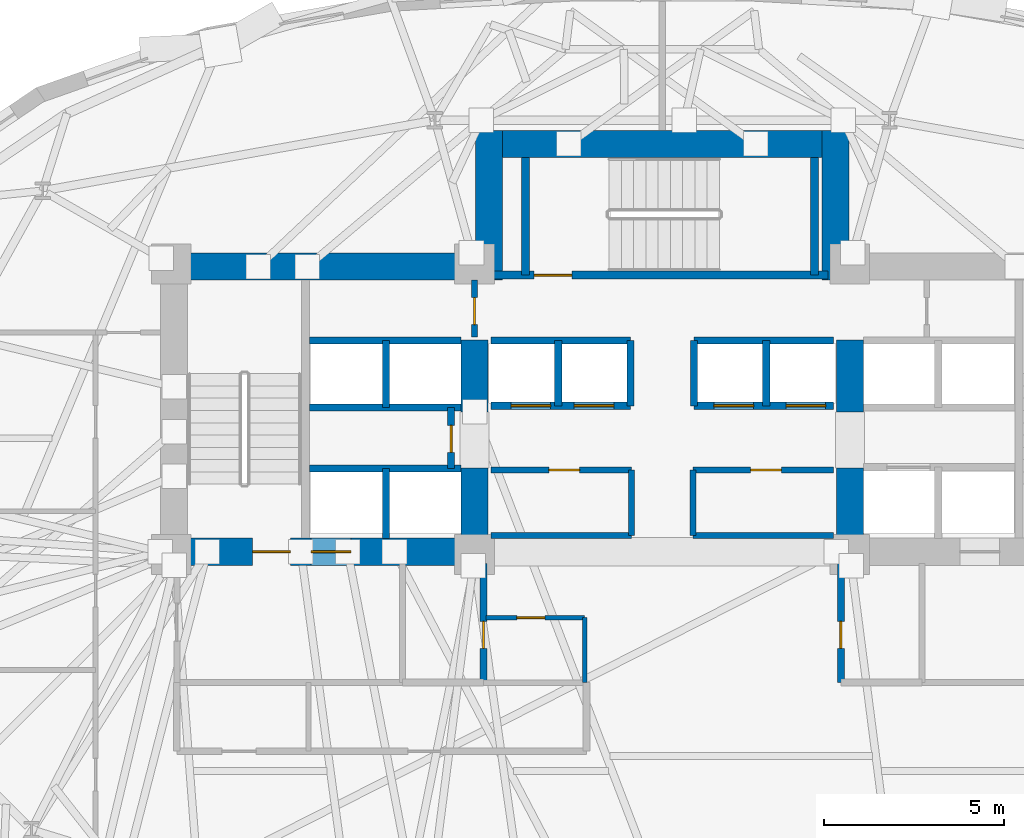
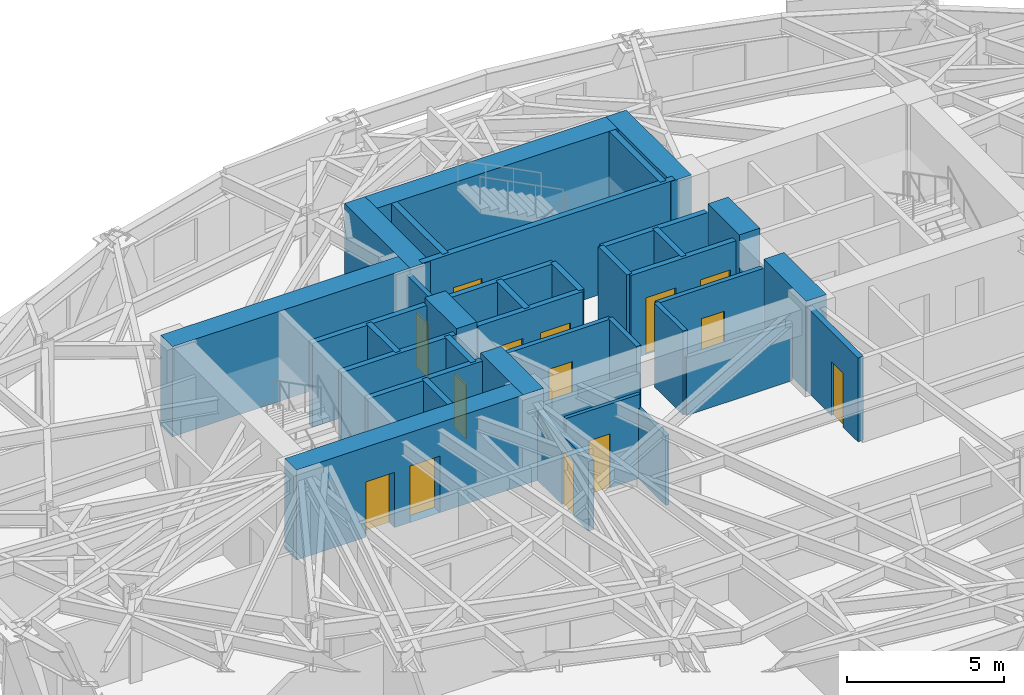
# One storey, part 7 of 13: 37 walls, 14 doors, 14 openings.
"""IFC4 building model written with IfcOpenShell, lengths in metres."""

from ifc_helpers import new_model, si_unit, direction, frame, frame_2d, origin, place, context, subcontext, project, spatial, rectangle, extrude, material, layer, layer_set, type_object, element, fill, save


model = new_model("IFC4")

# Units and contexts
model_context = context("Model", 3, precision=1e-05, world=origin(), true_north=direction((0.0, 1.0)))
body_context = subcontext(model_context, "Body", "Model", "MODEL_VIEW")
ifc_project = project(units=[si_unit("LENGTHUNIT", "METRE"), si_unit("AREAUNIT", "SQUARE_METRE"), si_unit("VOLUMEUNIT", "CUBIC_METRE"), si_unit("PLANEANGLEUNIT", "RADIAN"), si_unit("MASSUNIT", "GRAM", prefix="KILO")], contexts=[model_context])

# Site, building, storey
site_placement = place(None, origin())
site = spatial("IfcSite", under=ifc_project, at=site_placement, CompositionType="ELEMENT")
building_placement = place(site_placement, origin())
building = spatial("IfcBuilding", under=site, at=building_placement, Name="Keldmark Tower", CompositionType="ELEMENT")
storey_placement = place(building_placement, frame((0.0, 0.0, 131.60009765625)))
storey = spatial("IfcBuildingStorey", under=building, at=storey_placement, Name="L35", CompositionType="ELEMENT", Elevation=131.60009765625)

# Wall, opening, door
ifc_material_1 = material(Name="Acoustic Gypsum Board Interior Partition", Category="gypsum")
ifc_layer_1 = layer(ifc_material_1, 0.1298828125)
ifc_layer_set_1 = layer_set([ifc_layer_1], Name="Acoustic Gypsum Board Interior Partition")
wall_type_1 = type_object("IfcWallType", Name="Interior Partition 130 mm", PredefinedType="PARTITIONING", material=ifc_layer_set_1)
wall_1_placement = place(storey_placement, frame((-4.8798828125, -0.35009765625, 0.0), z_axis=(0.0, 0.0, 1.0), x_axis=(1.0, 0.0, 0.0)))
wall_1 = element("IfcWall", 1, at=wall_1_placement, inside=storey, type_object=wall_type_1, Name="L35 Interior Partition 130 mm CSC-W-N", PredefinedType="PARTITIONING", context=body_context, shape_type="SweptSolid", body=[
    extrude(rectangle(XDim=2.72998046875, YDim=0.1298828125, at=frame_2d((1.364990234375, 0.0))), origin(), (0.0, 0.0, 1.0), 3.260009765625),
])
opening_1_placement = place(wall_1_placement, frame((0.85009765625, 0.0, 0.0)))
opening_1 = element("IfcOpeningElement", 2, at=opening_1_placement, cuts=wall_1, Name="Opening D-CL078", PredefinedType="OPENING", context=body_context, shape_type="SweptSolid", body=[
    extrude(rectangle(XDim=0.780029296875, YDim=2.10009765625, at=frame_2d((0.39013671875, 1.050048828125))), frame((0.0, 0.074951171875, 0.0), z_axis=(0.0, -1.0, 0.0), x_axis=(1.0, 0.0, 0.0)), (0.0, 0.0, 1.0), 0.14990234375),
])
ifc_material_2 = material(Name="Flush Utility Closet Timber Door", Category="wood")
door_type_1 = type_object("IfcDoorType", Name="Closet Door 780x2100", OperationType="NOTDEFINED", PredefinedType="DOOR", material=ifc_material_2)
door_1_placement = place(opening_1_placement, origin())
door_1 = element("IfcDoor", 3, at=door_1_placement, inside=storey, type_object=door_type_1, Name="L35 Closet Door 780x2100 D-CSCW1-L35", OperationType="SINGLE_SWING_LEFT", OverallHeight=2.10009765625, OverallWidth=0.780029296875, PredefinedType="DOOR", context=body_context, shape_type="SweptSolid", body=[
    extrude(rectangle(XDim=0.780029296875, YDim=2.10009765625, at=frame_2d((0.39013671875, 1.050048828125))), frame((0.0, 0.02490234375, 0.0), z_axis=(0.0, -1.0, 0.0), x_axis=(1.0, 0.0, 0.0)), (0.0, 0.0, 1.0), 0.050048828125),
])
fill(opening_1, door_1)

# Walls
wall_2_placement = place(storey_placement, frame((-2.14990234375, -2.14990234375, 0.0), z_axis=(0.0, 0.0, 1.0), x_axis=(0.0, 1.0, 0.0)))
element("IfcWall", 4, at=wall_2_placement, inside=storey, type_object=wall_type_1, Name="L35 Interior Partition 130 mm CSC-W-E", PredefinedType="PARTITIONING", context=body_context, shape_type="SweptSolid", body=[
    extrude(rectangle(XDim=1.7998046875, YDim=0.1298828125, at=frame_2d((0.89990234375, 0.0))), origin(), (0.0, 0.0, 1.0), 2.712890625),
])
ifc_material_3 = material(Name="Concrete C70/85", Category="concrete")
ifc_layer_2 = layer(ifc_material_3, 0.75)
ifc_layer_set_2 = layer_set([ifc_layer_2], Name="Concrete C70/85")
wall_type_2 = type_object("IfcWallType", Name="Low-Mid Core Shear Wall 750 mm", PredefinedType="SHEAR", material=ifc_layer_set_2)
wall_3_placement = place(storey_placement, frame((-13.89990234375, 9.375, 0.0), z_axis=(0.0, 0.0, 1.0), x_axis=(1.0, 0.0, 0.0)))
element("IfcWall", 5, at=wall_3_placement, inside=storey, type_object=wall_type_2, Name="L35 West Core North Shear Wall", PredefinedType="SHEAR", context=body_context, shape_type="SweptSolid", body=[
    extrude(rectangle(XDim=9.474853515625, YDim=0.75, at=frame_2d((4.7373046875, 0.0))), origin(), (0.0, 0.0, 1.0), 3.5),
])

# Wall, openings, doors
wall_4_placement = place(storey_placement, frame((-4.824951171875, 1.47509765625, 0.0), z_axis=(0.0, 0.0, 1.0), x_axis=(-1.0, 0.0, 0.0)))
wall_4 = element("IfcWall", 6, at=wall_4_placement, inside=storey, type_object=wall_type_2, Name="L35 West Core South Shear Wall", PredefinedType="SHEAR", context=body_context, shape_type="SweptSolid", body=[
    extrude(rectangle(XDim=9.074951171875, YDim=0.75, at=frame_2d((4.53759765625, 0.0))), origin(), (0.0, 0.0, 1.0), 3.5),
])
opening_2_placement = place(wall_4_placement, frame((5.47509765625, 0.0, 0.0)))
opening_2 = element("IfcOpeningElement", 7, at=opening_2_placement, cuts=wall_4, Name="Opening D-ST105", PredefinedType="OPENING", context=body_context, shape_type="SweptSolid", body=[
    extrude(rectangle(XDim=1.050048828125, YDim=2.14990234375, at=frame_2d((0.52490234375, 1.074951171875))), frame((0.0, 0.385009765625, 0.0), z_axis=(0.0, -1.0, 0.0), x_axis=(1.0, 0.0, 0.0)), (0.0, 0.0, 1.0), 0.77001953125),
])
opening_3_placement = place(wall_4_placement, frame((3.804931640625, 0.0, 0.0)))
opening_3 = element("IfcOpeningElement", 8, at=opening_3_placement, cuts=wall_4, Name="Opening LD-110", PredefinedType="OPENING", context=body_context, shape_type="SweptSolid", body=[
    extrude(rectangle(XDim=1.10009765625, YDim=2.199951171875, at=frame_2d((0.550048828125, 1.10009765625))), frame((0.0, 0.385009765625, 0.0), z_axis=(0.0, -1.0, 0.0), x_axis=(1.0, 0.0, 0.0)), (0.0, 0.0, 1.0), 0.77001953125),
])
ifc_material_4 = material(Name="Brushed Bronze Hoistway Sliding Leaf", Category="metal")
door_type_2 = type_object("IfcDoorType", Name="Lift Landing Sliding Door 1100x2200", OperationType="SLIDING_TO_LEFT", PredefinedType="DOOR", material=ifc_material_4)
door_2_placement = place(opening_3_placement, origin())
door_2 = element("IfcDoor", 9, at=door_2_placement, inside=storey, type_object=door_type_2, Name="L35 Lift Landing Sliding Door 1100x2200 LD-EL-FS1-L35", OperationType="SLIDING_TO_LEFT", OverallHeight=2.199951171875, OverallWidth=1.10009765625, PredefinedType="DOOR", context=body_context, shape_type="SweptSolid", body=[
    extrude(rectangle(XDim=1.10009765625, YDim=2.199951171875, at=frame_2d((0.550048828125, 1.10009765625))), frame((0.0, 0.02490234375, 0.0), z_axis=(0.0, -1.0, 0.0), x_axis=(1.0, 0.0, 0.0)), (0.0, 0.0, 1.0), 0.050048828125),
])
fill(opening_3, door_2)
ifc_material_5 = material(Name="Hollow Metal Fire-Rated Door Assembly", Category="metal")
door_type_3 = type_object("IfcDoorType", Name="Stair Fire Door 1050x2150", OperationType="NOTDEFINED", PredefinedType="DOOR", material=ifc_material_5)
door_3_placement = place(opening_2_placement, origin())
door_3 = element("IfcDoor", 10, at=door_3_placement, inside=storey, type_object=door_type_3, Name="L35 Stair Fire Door 1050x2150 D-ST1-L35", OperationType="SINGLE_SWING_RIGHT", OverallHeight=2.14990234375, OverallWidth=1.050048828125, PredefinedType="DOOR", context=body_context, shape_type="SweptSolid", body=[
    extrude(rectangle(XDim=1.050048828125, YDim=2.14990234375, at=frame_2d((0.52490234375, 1.074951171875))), frame((0.0, 0.02490234375, 0.0), z_axis=(0.0, -1.0, 0.0), x_axis=(1.0, 0.0, 0.0)), (0.0, 0.0, 1.0), 0.050048828125),
])
fill(opening_2, door_3)

# Walls
wall_5_placement = place(storey_placement, frame((-5.199951171875, 1.10009765625, 0.0), z_axis=(0.0, 0.0, 1.0), x_axis=(0.0, 1.0, 0.0)))
element("IfcWall", 11, at=wall_5_placement, inside=storey, type_object=wall_type_2, Name="L35 West Core Inner Shear Pier South", PredefinedType="SHEAR", context=body_context, shape_type="SweptSolid", body=[
    extrude(rectangle(XDim=2.699951171875, YDim=0.75, at=frame_2d((1.35009765625, 0.0))), origin(), (0.0, 0.0, 1.0), 3.5),
])
wall_6_placement = place(storey_placement, frame((-5.199951171875, 5.35009765625, 0.0), z_axis=(0.0, 0.0, 1.0), x_axis=(0.0, 1.0, 0.0)))
element("IfcWall", 12, at=wall_6_placement, inside=storey, type_object=wall_type_2, Name="L35 West Core Inner Shear Pier North", PredefinedType="SHEAR", context=body_context, shape_type="SweptSolid", body=[
    extrude(rectangle(XDim=2.0, YDim=0.75, at=frame_2d((1.0, 0.0))), origin(), (0.0, 0.0, 1.0), 3.5),
])
wall_7_placement = place(storey_placement, frame((5.199951171875, 1.10009765625, 0.0), z_axis=(0.0, 0.0, 1.0), x_axis=(0.0, 1.0, 0.0)))
element("IfcWall", 13, at=wall_7_placement, inside=storey, type_object=wall_type_2, Name="L35 East Core Inner Shear Pier South", PredefinedType="SHEAR", context=body_context, shape_type="SweptSolid", body=[
    extrude(rectangle(XDim=2.699951171875, YDim=0.75, at=frame_2d((1.35009765625, 0.0))), origin(), (0.0, 0.0, 1.0), 3.5),
])
wall_8_placement = place(storey_placement, frame((5.199951171875, 5.35009765625, 0.0), z_axis=(0.0, 0.0, 1.0), x_axis=(0.0, 1.0, 0.0)))
element("IfcWall", 14, at=wall_8_placement, inside=storey, type_object=wall_type_2, Name="L35 East Core Inner Shear Pier North", PredefinedType="SHEAR", context=body_context, shape_type="SweptSolid", body=[
    extrude(rectangle(XDim=2.0, YDim=0.75, at=frame_2d((1.0, 0.0))), origin(), (0.0, 0.0, 1.0), 3.5),
])
wall_9_placement = place(storey_placement, frame((-5.175048828125, 12.77490234375, 0.0), z_axis=(0.0, 0.0, 1.0), x_axis=(1.0, 0.0, 0.0)))
element("IfcWall", 15, at=wall_9_placement, inside=storey, type_object=wall_type_2, Name="L35 North Core Shear Wall", PredefinedType="SHEAR", context=body_context, shape_type="SweptSolid", body=[
    extrude(rectangle(XDim=10.35009765625, YDim=0.75, at=frame_2d((5.175048828125, 0.0))), origin(), (0.0, 0.0, 1.0), 3.5),
])
for number, where, z_axis, x_axis, name in (
    (16, (-4.800048828125, 9.0, 0.0), (0.0, 0.0, 1.0), (0.0, 1.0, 0.0), "L35 North Core West Shear Wall"),
    (17, (4.800048828125, 9.0, 0.0), (0.0, 0.0, 1.0), (0.0, 1.0, 0.0), "L35 North Core East Shear Wall"),
):
    element("IfcWall", number, at=place(storey_placement, frame(where, z_axis=z_axis, x_axis=x_axis)), inside=storey, type_object=wall_type_2, Name=name, PredefinedType="SHEAR", context=body_context, shape_type="SweptSolid", body=[
        extrude(rectangle(XDim=4.14990234375, YDim=0.75, at=frame_2d((2.074951171875, 0.0))), origin(), (0.0, 0.0, 1.0), 3.5),
    ])
ifc_material_6 = material(Name="Type X Fire-Rated Gypsum Partition Assembly", Category="gypsum")
ifc_layer_3 = layer(ifc_material_6, 0.1650390625)
ifc_layer_set_3 = layer_set([ifc_layer_3], Name="Type X Fire-Rated Gypsum Partition Assembly")
wall_type_3 = type_object("IfcWallType", Name="Rated Partition 165 mm", PredefinedType="PARTITIONING", material=ifc_layer_set_3)
wall_10_placement = place(storey_placement, frame((-4.739990234375, 1.919921875, 0.0), z_axis=(0.0, 0.0, 1.0), x_axis=(1.0, 0.0, 0.0)))
element("IfcWall", 18, at=wall_10_placement, inside=storey, type_object=wall_type_3, Name="L35 Rated Partition 165 mm REC-LW-S", PredefinedType="PARTITIONING", context=body_context, shape_type="SweptSolid", body=[
    extrude(rectangle(XDim=3.889892578125, YDim=0.1650390625, at=frame_2d((1.94482421875, 0.0))), origin(), (0.0, 0.0, 1.0), 2.25),
])

# Wall, opening, door
wall_11_placement = place(storey_placement, frame((-4.739990234375, 3.739990234375, 0.0), z_axis=(0.0, 0.0, 1.0), x_axis=(1.0, 0.0, 0.0)))
wall_11 = element("IfcWall", 19, at=wall_11_placement, inside=storey, type_object=wall_type_3, Name="L35 Rated Partition 165 mm REC-LW-N", PredefinedType="PARTITIONING", context=body_context, shape_type="SweptSolid", body=[
    extrude(rectangle(XDim=3.889892578125, YDim=0.1650390625, at=frame_2d((1.94482421875, 0.0))), origin(), (0.0, 0.0, 1.0), 3.260009765625),
])
opening_4_placement = place(wall_11_placement, frame((1.60009765625, 0.0, 0.0)))
opening_4 = element("IfcOpeningElement", 20, at=opening_4_placement, cuts=wall_11, Name="Opening D-SV085", PredefinedType="OPENING", context=body_context, shape_type="SweptSolid", body=[
    extrude(rectangle(XDim=0.85009765625, YDim=2.10009765625, at=frame_2d((0.425048828125, 1.050048828125))), frame((0.0, 0.092529296875, 0.0), z_axis=(0.0, -1.0, 0.0), x_axis=(1.0, 0.0, 0.0)), (0.0, 0.0, 1.0), 0.18505859375),
])
ifc_material_7 = material(Name="Painted Hollow Metal Door Assembly", Category="metal")
door_type_4 = type_object("IfcDoorType", Name="Service Door 850x2100", OperationType="NOTDEFINED", PredefinedType="DOOR", material=ifc_material_7)
door_4_placement = place(opening_4_placement, origin())
door_4 = element("IfcDoor", 21, at=door_4_placement, inside=storey, type_object=door_type_4, Name="L35 Service Door 850x2100 D-RECLW1-L35", OperationType="SINGLE_SWING_LEFT", OverallHeight=2.10009765625, OverallWidth=0.85009765625, PredefinedType="DOOR", context=body_context, shape_type="SweptSolid", body=[
    extrude(rectangle(XDim=0.85009765625, YDim=2.10009765625, at=frame_2d((0.425048828125, 1.050048828125))), frame((0.0, 0.02490234375, 0.0), z_axis=(0.0, -1.0, 0.0), x_axis=(1.0, 0.0, 0.0)), (0.0, 0.0, 1.0), 0.050048828125),
])
fill(opening_4, door_4)

# Walls
wall_12_placement = place(storey_placement, frame((-0.85009765625, 1.919921875, 0.0), z_axis=(0.0, 0.0, 1.0), x_axis=(0.0, 1.0, 0.0)))
element("IfcWall", 22, at=wall_12_placement, inside=storey, type_object=wall_type_3, Name="L35 Rated Partition 165 mm REC-LW-E", PredefinedType="PARTITIONING", context=body_context, shape_type="SweptSolid", body=[
    extrude(rectangle(XDim=1.820068359375, YDim=0.1650390625, at=frame_2d((0.91015625, 0.0))), origin(), (0.0, 0.0, 1.0), 3.260009765625),
])
wall_13_placement = place(storey_placement, frame((0.85009765625, 1.919921875, 0.0), z_axis=(0.0, 0.0, 1.0), x_axis=(1.0, 0.0, 0.0)))
element("IfcWall", 23, at=wall_13_placement, inside=storey, type_object=wall_type_3, Name="L35 Rated Partition 165 mm REC-LE-S", PredefinedType="PARTITIONING", context=body_context, shape_type="SweptSolid", body=[
    extrude(rectangle(XDim=3.889892578125, YDim=0.1650390625, at=frame_2d((1.94482421875, 0.0))), origin(), (0.0, 0.0, 1.0), 2.25),
])

# Wall, opening, door
wall_14_placement = place(storey_placement, frame((0.85009765625, 3.739990234375, 0.0), z_axis=(0.0, 0.0, 1.0), x_axis=(1.0, 0.0, 0.0)))
wall_14 = element("IfcWall", 24, at=wall_14_placement, inside=storey, type_object=wall_type_3, Name="L35 Rated Partition 165 mm REC-LE-N", PredefinedType="PARTITIONING", context=body_context, shape_type="SweptSolid", body=[
    extrude(rectangle(XDim=3.889892578125, YDim=0.1650390625, at=frame_2d((1.94482421875, 0.0))), origin(), (0.0, 0.0, 1.0), 3.260009765625),
])
opening_5_placement = place(wall_14_placement, frame((1.60009765625, 0.0, 0.0)))
opening_5 = element("IfcOpeningElement", 25, at=opening_5_placement, cuts=wall_14, Name="Opening D-SV085", PredefinedType="OPENING", context=body_context, shape_type="SweptSolid", body=[
    extrude(rectangle(XDim=0.85009765625, YDim=2.10009765625, at=frame_2d((0.425048828125, 1.050048828125))), frame((0.0, 0.092529296875, 0.0), z_axis=(0.0, -1.0, 0.0), x_axis=(1.0, 0.0, 0.0)), (0.0, 0.0, 1.0), 0.18505859375),
])
door_5_placement = place(opening_5_placement, origin())
door_5 = element("IfcDoor", 26, at=door_5_placement, inside=storey, type_object=door_type_4, Name="L35 Service Door 850x2100 D-RECLE1-L35", OperationType="SINGLE_SWING_RIGHT", OverallHeight=2.10009765625, OverallWidth=0.85009765625, PredefinedType="DOOR", context=body_context, shape_type="SweptSolid", body=[
    extrude(rectangle(XDim=0.85009765625, YDim=2.10009765625, at=frame_2d((0.425048828125, 1.050048828125))), frame((0.0, 0.02490234375, 0.0), z_axis=(0.0, -1.0, 0.0), x_axis=(1.0, 0.0, 0.0)), (0.0, 0.0, 1.0), 0.050048828125),
])
fill(opening_5, door_5)

# Wall
wall_15_placement = place(storey_placement, frame((0.85009765625, 1.919921875, 0.0), z_axis=(0.0, 0.0, 1.0), x_axis=(0.0, 1.0, 0.0)))
element("IfcWall", 27, at=wall_15_placement, inside=storey, type_object=wall_type_3, Name="L35 Rated Partition 165 mm REC-LE-W", PredefinedType="PARTITIONING", context=body_context, shape_type="SweptSolid", body=[
    extrude(rectangle(XDim=1.820068359375, YDim=0.1650390625, at=frame_2d((0.91015625, 0.0))), origin(), (0.0, 0.0, 1.0), 3.260009765625),
])

# Wall, opening, door
wall_16_placement = place(storey_placement, frame((-5.199951171875, 7.419921875, 0.0), z_axis=(0.0, 0.0, 1.0), x_axis=(0.0, 1.0, 0.0)))
wall_16 = element("IfcWall", 28, at=wall_16_placement, inside=storey, type_object=wall_type_3, Name="L35 Rated Partition 165 mm CS-NW-E", PredefinedType="PARTITIONING", context=body_context, shape_type="SweptSolid", body=[
    extrude(rectangle(XDim=1.580078125, YDim=0.1650390625, at=frame_2d((0.7900390625, 0.0))), origin(), (0.0, 0.0, 1.0), 3.260009765625),
])
opening_6_placement = place(wall_16_placement, frame((0.35009765625, 0.0, 0.0)))
opening_6 = element("IfcOpeningElement", 29, at=opening_6_placement, cuts=wall_16, Name="Opening D-RS075", PredefinedType="OPENING", context=body_context, shape_type="SweptSolid", body=[
    extrude(rectangle(XDim=0.75, YDim=2.10009765625, at=frame_2d((0.375, 1.050048828125))), frame((0.0, 0.092529296875, 0.0), z_axis=(0.0, -1.0, 0.0), x_axis=(1.0, 0.0, 0.0)), (0.0, 0.0, 1.0), 0.18505859375),
])
ifc_material_8 = material(Name="Galvanized Fire-Rated Access Leaf", Category="metal")
door_type_5 = type_object("IfcDoorType", Name="Riser Access Door 750x2100", OperationType="NOTDEFINED", PredefinedType="DOOR", material=ifc_material_8)
door_6_placement = place(opening_6_placement, origin())
door_6 = element("IfcDoor", 30, at=door_6_placement, inside=storey, type_object=door_type_5, Name="L35 Riser Access Door 750x2100 D-CSNW1-L35", OperationType="SINGLE_SWING_LEFT", OverallHeight=2.10009765625, OverallWidth=0.75, PredefinedType="DOOR", context=body_context, shape_type="SweptSolid", body=[
    extrude(rectangle(XDim=0.75, YDim=2.10009765625, at=frame_2d((0.375, 1.050048828125))), frame((0.0, 0.02490234375, 0.0), z_axis=(0.0, -1.0, 0.0), x_axis=(1.0, 0.0, 0.0)), (0.0, 0.0, 1.0), 0.050048828125),
])
fill(opening_6, door_6)

ifc_material_9 = material(Name="Fire-Resistant Type X Gypsum Shaftliner Coreboard", Category="gypsum")
ifc_layer_4 = layer(ifc_material_9, 0.199951171875)
ifc_layer_set_4 = layer_set([ifc_layer_4], Name="Fire-Resistant Type X Gypsum Shaftliner Coreboard")
wall_type_4 = type_object("IfcWallType", Name="Shaft Wall 200 mm", PredefinedType="SOLIDWALL", material=ifc_layer_set_4)
wall_17_placement = place(storey_placement, frame((-4.949951171875, -2.14990234375, 0.0), z_axis=(0.0, 0.0, 1.0), x_axis=(0.0, 1.0, 0.0)))
wall_17 = element("IfcWall", 31, at=wall_17_placement, inside=storey, type_object=wall_type_4, Name="L35 Shaft Wall 200 mm RIS-SW-E", PredefinedType="SOLIDWALL", context=body_context, shape_type="SweptSolid", body=[
    extrude(rectangle(XDim=3.2998046875, YDim=0.199951171875, at=frame_2d((1.64990234375, 0.0))), origin(), (0.0, 0.0, 1.0), 2.712890625),
])
opening_7_placement = place(wall_17_placement, frame((0.949951171875, 0.0, 0.0)))
opening_7 = element("IfcOpeningElement", 32, at=opening_7_placement, cuts=wall_17, Name="Opening D-RS075", PredefinedType="OPENING", context=body_context, shape_type="SweptSolid", body=[
    extrude(rectangle(XDim=0.75, YDim=2.10009765625, at=frame_2d((0.375, 1.050048828125))), frame((0.0, 0.10986328125, 0.0), z_axis=(0.0, -1.0, 0.0), x_axis=(1.0, 0.0, 0.0)), (0.0, 0.0, 1.0), 0.219970703125),
])
door_7_placement = place(opening_7_placement, origin())
door_7 = element("IfcDoor", 33, at=door_7_placement, inside=storey, type_object=door_type_5, Name="L35 Riser Access Door 750x2100 D-RISSW-L35", OperationType="SINGLE_SWING_RIGHT", OverallHeight=2.10009765625, OverallWidth=0.75, PredefinedType="DOOR", context=body_context, shape_type="SweptSolid", body=[
    extrude(rectangle(XDim=0.75, YDim=2.10009765625, at=frame_2d((0.375, 1.050048828125))), frame((0.0, 0.02490234375, 0.0), z_axis=(0.0, -1.0, 0.0), x_axis=(1.0, 0.0, 0.0)), (0.0, 0.0, 1.0), 0.050048828125),
])
fill(opening_7, door_7)

wall_18_placement = place(storey_placement, frame((4.949951171875, -2.14990234375, 0.0), z_axis=(0.0, 0.0, 1.0), x_axis=(0.0, 1.0, 0.0)))
wall_18 = element("IfcWall", 34, at=wall_18_placement, inside=storey, type_object=wall_type_4, Name="L35 Shaft Wall 200 mm RIS-SE-W", PredefinedType="SOLIDWALL", context=body_context, shape_type="SweptSolid", body=[
    extrude(rectangle(XDim=3.2998046875, YDim=0.199951171875, at=frame_2d((1.64990234375, 0.0))), origin(), (0.0, 0.0, 1.0), 3.260009765625),
])
opening_8_placement = place(wall_18_placement, frame((0.949951171875, 0.0, 0.0)))
opening_8 = element("IfcOpeningElement", 35, at=opening_8_placement, cuts=wall_18, Name="Opening D-RS075", PredefinedType="OPENING", context=body_context, shape_type="SweptSolid", body=[
    extrude(rectangle(XDim=0.75, YDim=2.10009765625, at=frame_2d((0.375, 1.050048828125))), frame((0.0, 0.10986328125, 0.0), z_axis=(0.0, -1.0, 0.0), x_axis=(1.0, 0.0, 0.0)), (0.0, 0.0, 1.0), 0.219970703125),
])
door_8_placement = place(opening_8_placement, origin())
door_8 = element("IfcDoor", 36, at=door_8_placement, inside=storey, type_object=door_type_5, Name="L35 Riser Access Door 750x2100 D-RISSE-L35", OperationType="SINGLE_SWING_LEFT", OverallHeight=2.10009765625, OverallWidth=0.75, PredefinedType="DOOR", context=body_context, shape_type="SweptSolid", body=[
    extrude(rectangle(XDim=0.75, YDim=2.10009765625, at=frame_2d((0.375, 1.050048828125))), frame((0.0, 0.02490234375, 0.0), z_axis=(0.0, -1.0, 0.0), x_axis=(1.0, 0.0, 0.0)), (0.0, 0.0, 1.0), 0.050048828125),
])
fill(opening_8, door_8)

# Walls
wall_19_placement = place(storey_placement, frame((-9.780029296875, 3.780029296875, 0.0), z_axis=(0.0, 0.0, 1.0), x_axis=(1.0, 0.0, 0.0)))
element("IfcWall", 37, at=wall_19_placement, inside=storey, type_object=wall_type_4, Name="L35 Shaft Wall 200 mm HW-W-S", PredefinedType="SOLIDWALL", context=body_context, shape_type="SweptSolid", body=[
    extrude(rectangle(XDim=4.205078125, YDim=0.199951171875, at=frame_2d((2.1025390625, 0.0))), origin(), (0.0, 0.0, 1.0), 3.260009765625),
])
wall_20_placement = place(storey_placement, frame((-7.64990234375, 1.85009765625, 0.0), z_axis=(0.0, 0.0, 1.0), x_axis=(0.0, 1.0, 0.0)))
element("IfcWall", 38, at=wall_20_placement, inside=storey, type_object=wall_type_4, Name="L35 Shaft Wall 200 mm HW-W-M", PredefinedType="SOLIDWALL", context=body_context, shape_type="SweptSolid", body=[
    extrude(rectangle(XDim=1.929931640625, YDim=0.199951171875, at=frame_2d((0.96484375, 0.0))), origin(), (0.0, 0.0, 1.0), 3.260009765625),
])
for number, where, z_axis, x_axis, name in (
    (39, (-9.780029296875, 5.469970703125, 0.0), (0.0, 0.0, 1.0), (1.0, 0.0, 0.0), "L35 Shaft Wall 200 mm HW-W-N"),
    (40, (-9.780029296875, 7.330078125, 0.0), (0.0, 0.0, 1.0), (1.0, 0.0, 0.0), "L35 Shaft Wall 200 mm HW-W-TOP"),
):
    element("IfcWall", number, at=place(storey_placement, frame(where, z_axis=z_axis, x_axis=x_axis)), inside=storey, type_object=wall_type_4, Name=name, PredefinedType="SOLIDWALL", context=body_context, shape_type="SweptSolid", body=[
        extrude(rectangle(XDim=4.205078125, YDim=0.199951171875, at=frame_2d((2.1025390625, 0.0))), origin(), (0.0, 0.0, 1.0), 3.260009765625),
    ])
wall_21_placement = place(storey_placement, frame((-7.64990234375, 5.469970703125, 0.0), z_axis=(0.0, 0.0, 1.0), x_axis=(0.0, 1.0, 0.0)))
element("IfcWall", 41, at=wall_21_placement, inside=storey, type_object=wall_type_4, Name="L35 Shaft Wall 200 mm HW-W-NM", PredefinedType="SOLIDWALL", context=body_context, shape_type="SweptSolid", body=[
    extrude(rectangle(XDim=1.860107421875, YDim=0.199951171875, at=frame_2d((0.93017578125, 0.0))), origin(), (0.0, 0.0, 1.0), 3.260009765625),
])

# Wall, opening, door
wall_22_placement = place(storey_placement, frame((-5.85009765625, 3.780029296875, 0.0), z_axis=(0.0, 0.0, 1.0), x_axis=(0.0, 1.0, 0.0)))
wall_22 = element("IfcWall", 42, at=wall_22_placement, inside=storey, type_object=wall_type_4, Name="L35 Shaft Wall 200 mm HW-W-CLOSE", PredefinedType="SOLIDWALL", context=body_context, shape_type="SweptSolid", body=[
    extrude(rectangle(XDim=1.68994140625, YDim=0.199951171875, at=frame_2d((0.844970703125, 0.0))), origin(), (0.0, 0.0, 1.0), 3.260009765625),
])
opening_9_placement = place(wall_22_placement, frame((0.449951171875, 0.0, 0.0)))
opening_9 = element("IfcOpeningElement", 43, at=opening_9_placement, cuts=wall_22, Name="Opening D-RS075", PredefinedType="OPENING", context=body_context, shape_type="SweptSolid", body=[
    extrude(rectangle(XDim=0.75, YDim=2.10009765625, at=frame_2d((0.375, 1.050048828125))), frame((0.0, 0.10986328125, 0.0), z_axis=(0.0, -1.0, 0.0), x_axis=(1.0, 0.0, 0.0)), (0.0, 0.0, 1.0), 0.219970703125),
])
door_9_placement = place(opening_9_placement, origin())
door_9 = element("IfcDoor", 44, at=door_9_placement, inside=storey, type_object=door_type_5, Name="L35 Riser Access Door 750x2100 D-RISHW-L35", OperationType="SINGLE_SWING_RIGHT", OverallHeight=2.10009765625, OverallWidth=0.75, PredefinedType="DOOR", context=body_context, shape_type="SweptSolid", body=[
    extrude(rectangle(XDim=0.75, YDim=2.10009765625, at=frame_2d((0.375, 1.050048828125))), frame((0.0, 0.02490234375, 0.0), z_axis=(0.0, -1.0, 0.0), x_axis=(1.0, 0.0, 0.0)), (0.0, 0.0, 1.0), 0.050048828125),
])
fill(opening_9, door_9)

# Wall, openings, doors
wall_23_placement = place(storey_placement, frame((-4.739990234375, 5.52001953125, 0.0), z_axis=(0.0, 0.0, 1.0), x_axis=(1.0, 0.0, 0.0)))
wall_23 = element("IfcWall", 45, at=wall_23_placement, inside=storey, type_object=wall_type_4, Name="L35 Shaft Wall 200 mm MID-S-W", PredefinedType="SOLIDWALL", context=body_context, shape_type="SweptSolid", body=[
    extrude(rectangle(XDim=3.860107421875, YDim=0.199951171875, at=frame_2d((1.93017578125, 0.0))), origin(), (0.0, 0.0, 1.0), 3.260009765625),
])
opening_10_placement = place(wall_23_placement, frame((0.550048828125, 0.0, 0.0)))
opening_10 = element("IfcOpeningElement", 46, at=opening_10_placement, cuts=wall_23, Name="Opening LD-110", PredefinedType="OPENING", context=body_context, shape_type="SweptSolid", body=[
    extrude(rectangle(XDim=1.10009765625, YDim=2.199951171875, at=frame_2d((0.550048828125, 1.10009765625))), frame((0.0, 0.10986328125, 0.0), z_axis=(0.0, -1.0, 0.0), x_axis=(1.0, 0.0, 0.0)), (0.0, 0.0, 1.0), 0.219970703125),
])
opening_11_placement = place(wall_23_placement, frame((2.300048828125, 0.0, 0.0)))
opening_11 = element("IfcOpeningElement", 47, at=opening_11_placement, cuts=wall_23, Name="Opening LD-110", PredefinedType="OPENING", context=body_context, shape_type="SweptSolid", body=[
    extrude(rectangle(XDim=1.10009765625, YDim=2.199951171875, at=frame_2d((0.550048828125, 1.10009765625))), frame((0.0, 0.10986328125, 0.0), z_axis=(0.0, -1.0, 0.0), x_axis=(1.0, 0.0, 0.0)), (0.0, 0.0, 1.0), 0.219970703125),
])
door_10_placement = place(opening_10_placement, origin())
door_10 = element("IfcDoor", 48, at=door_10_placement, inside=storey, type_object=door_type_2, Name="L35 Lift Landing Sliding Door 1100x2200 LD-EL-M1-L35", OperationType="SLIDING_TO_LEFT", OverallHeight=2.199951171875, OverallWidth=1.10009765625, PredefinedType="DOOR", context=body_context, shape_type="SweptSolid", body=[
    extrude(rectangle(XDim=1.10009765625, YDim=2.199951171875, at=frame_2d((0.550048828125, 1.10009765625))), frame((0.0, 0.02490234375, 0.0), z_axis=(0.0, -1.0, 0.0), x_axis=(1.0, 0.0, 0.0)), (0.0, 0.0, 1.0), 0.050048828125),
])
fill(opening_10, door_10)
door_11_placement = place(opening_11_placement, origin())
door_11 = element("IfcDoor", 49, at=door_11_placement, inside=storey, type_object=door_type_2, Name="L35 Lift Landing Sliding Door 1100x2200 LD-EL-M2-L35", OperationType="SLIDING_TO_LEFT", OverallHeight=2.199951171875, OverallWidth=1.10009765625, PredefinedType="DOOR", context=body_context, shape_type="SweptSolid", body=[
    extrude(rectangle(XDim=1.10009765625, YDim=2.199951171875, at=frame_2d((0.550048828125, 1.10009765625))), frame((0.0, 0.02490234375, 0.0), z_axis=(0.0, -1.0, 0.0), x_axis=(1.0, 0.0, 0.0)), (0.0, 0.0, 1.0), 0.050048828125),
])
fill(opening_11, door_11)

wall_24_placement = place(storey_placement, frame((0.8798828125, 5.52001953125, 0.0), z_axis=(0.0, 0.0, 1.0), x_axis=(1.0, 0.0, 0.0)))
wall_24 = element("IfcWall", 50, at=wall_24_placement, inside=storey, type_object=wall_type_4, Name="L35 Shaft Wall 200 mm MID-S-E", PredefinedType="SOLIDWALL", context=body_context, shape_type="SweptSolid", body=[
    extrude(rectangle(XDim=3.860107421875, YDim=0.199951171875, at=frame_2d((1.93017578125, 0.0))), origin(), (0.0, 0.0, 1.0), 3.260009765625),
])
opening_12_placement = place(wall_24_placement, frame((0.550048828125, 0.0, 0.0)))
opening_12 = element("IfcOpeningElement", 51, at=opening_12_placement, cuts=wall_24, Name="Opening LD-110", PredefinedType="OPENING", context=body_context, shape_type="SweptSolid", body=[
    extrude(rectangle(XDim=1.10009765625, YDim=2.199951171875, at=frame_2d((0.550048828125, 1.10009765625))), frame((0.0, 0.10986328125, 0.0), z_axis=(0.0, -1.0, 0.0), x_axis=(1.0, 0.0, 0.0)), (0.0, 0.0, 1.0), 0.219970703125),
])
opening_13_placement = place(wall_24_placement, frame((2.550048828125, 0.0, 0.0)))
opening_13 = element("IfcOpeningElement", 52, at=opening_13_placement, cuts=wall_24, Name="Opening LD-110", PredefinedType="OPENING", context=body_context, shape_type="SweptSolid", body=[
    extrude(rectangle(XDim=1.10009765625, YDim=2.199951171875, at=frame_2d((0.550048828125, 1.10009765625))), frame((0.0, 0.10986328125, 0.0), z_axis=(0.0, -1.0, 0.0), x_axis=(1.0, 0.0, 0.0)), (0.0, 0.0, 1.0), 0.219970703125),
])
door_12_placement = place(opening_12_placement, origin())
door_12 = element("IfcDoor", 53, at=door_12_placement, inside=storey, type_object=door_type_2, Name="L35 Lift Landing Sliding Door 1100x2200 LD-EL-M3-L35", OperationType="SLIDING_TO_LEFT", OverallHeight=2.199951171875, OverallWidth=1.10009765625, PredefinedType="DOOR", context=body_context, shape_type="SweptSolid", body=[
    extrude(rectangle(XDim=1.10009765625, YDim=2.199951171875, at=frame_2d((0.550048828125, 1.10009765625))), frame((0.0, 0.02490234375, 0.0), z_axis=(0.0, -1.0, 0.0), x_axis=(1.0, 0.0, 0.0)), (0.0, 0.0, 1.0), 0.050048828125),
])
fill(opening_12, door_12)
door_13_placement = place(opening_13_placement, origin())
door_13 = element("IfcDoor", 54, at=door_13_placement, inside=storey, type_object=door_type_2, Name="L35 Lift Landing Sliding Door 1100x2200 LD-EL-M4-L35", OperationType="SLIDING_TO_LEFT", OverallHeight=2.199951171875, OverallWidth=1.10009765625, PredefinedType="DOOR", context=body_context, shape_type="SweptSolid", body=[
    extrude(rectangle(XDim=1.10009765625, YDim=2.199951171875, at=frame_2d((0.550048828125, 1.10009765625))), frame((0.0, 0.02490234375, 0.0), z_axis=(0.0, -1.0, 0.0), x_axis=(1.0, 0.0, 0.0)), (0.0, 0.0, 1.0), 0.050048828125),
])
fill(opening_13, door_13)

# Walls
for number, where, z_axis, x_axis, name in (
    (55, (-4.739990234375, 7.330078125, 0.0), (0.0, 0.0, 1.0), (1.0, 0.0, 0.0), "L35 Shaft Wall 200 mm MID-N-W"),
    (56, (0.8798828125, 7.330078125, 0.0), (0.0, 0.0, 1.0), (1.0, 0.0, 0.0), "L35 Shaft Wall 200 mm MID-N-E"),
):
    element("IfcWall", number, at=place(storey_placement, frame(where, z_axis=z_axis, x_axis=x_axis)), inside=storey, type_object=wall_type_4, Name=name, PredefinedType="SOLIDWALL", context=body_context, shape_type="SweptSolid", body=[
        extrude(rectangle(XDim=3.860107421875, YDim=0.199951171875, at=frame_2d((1.93017578125, 0.0))), origin(), (0.0, 0.0, 1.0), 3.260009765625),
    ])
for number, where, z_axis, x_axis, name in (
    (57, (-2.8798828125, 5.52001953125, 0.0), (0.0, 0.0, 1.0), (0.0, 1.0, 0.0), "L35 Shaft Wall 200 mm MID-M-W"),
    (58, (2.8798828125, 5.52001953125, 0.0), (0.0, 0.0, 1.0), (0.0, 1.0, 0.0), "L35 Shaft Wall 200 mm MID-M-E"),
    (59, (-0.8798828125, 5.52001953125, 0.0), (0.0, 0.0, 1.0), (0.0, 1.0, 0.0), "L35 Shaft Wall 200 mm MID-C-W"),
    (60, (0.8798828125, 5.52001953125, 0.0), (0.0, 0.0, 1.0), (0.0, 1.0, 0.0), "L35 Shaft Wall 200 mm MID-C-E"),
):
    element("IfcWall", number, at=place(storey_placement, frame(where, z_axis=z_axis, x_axis=x_axis)), inside=storey, type_object=wall_type_4, Name=name, PredefinedType="SOLIDWALL", context=body_context, shape_type="SweptSolid", body=[
        extrude(rectangle(XDim=1.81005859375, YDim=0.199951171875, at=frame_2d((0.905029296875, 0.0))), origin(), (0.0, 0.0, 1.0), 3.260009765625),
    ])

# Wall, opening, door
ifc_material_10 = material(Name="Concrete C50/60", Category="concrete")
ifc_layer_5 = layer(ifc_material_10, 0.219970703125)
ifc_layer_set_5 = layer_set([ifc_layer_5], Name="Concrete C50/60")
wall_type_5 = type_object("IfcWallType", Name="Stair Core Shear Wall 220 mm", PredefinedType="SHEAR", material=ifc_layer_set_5)
wall_25_placement = place(storey_placement, frame((-4.699951171875, 9.139892578125, 0.0), z_axis=(0.0, 0.0, 1.0), x_axis=(1.0, 0.0, 0.0)))
wall_25 = element("IfcWall", 61, at=wall_25_placement, inside=storey, type_object=wall_type_5, Name="L35 Central Stair Core South Shear Wall", PredefinedType="SHEAR", context=body_context, shape_type="SweptSolid", body=[
    extrude(rectangle(XDim=9.300048828125, YDim=0.219970703125, at=frame_2d((4.64990234375, 0.0))), origin(), (0.0, 0.0, 1.0), 3.5),
])
opening_14_placement = place(wall_25_placement, frame((1.14990234375, 0.0, 0.0)))
opening_14 = element("IfcOpeningElement", 62, at=opening_14_placement, cuts=wall_25, Name="Opening D-ST105", PredefinedType="OPENING", context=body_context, shape_type="SweptSolid", body=[
    extrude(rectangle(XDim=1.050048828125, YDim=2.14990234375, at=frame_2d((0.52490234375, 1.074951171875))), frame((0.0, 0.119873046875, 0.0), z_axis=(0.0, -1.0, 0.0), x_axis=(1.0, 0.0, 0.0)), (0.0, 0.0, 1.0), 0.239990234375),
])
door_14_placement = place(opening_14_placement, origin())
door_14 = element("IfcDoor", 63, at=door_14_placement, inside=storey, type_object=door_type_3, Name="L35 Stair Fire Door 1050x2150 D-ST3-L35", OperationType="SINGLE_SWING_RIGHT", OverallHeight=2.14990234375, OverallWidth=1.050048828125, PredefinedType="DOOR", context=body_context, shape_type="SweptSolid", body=[
    extrude(rectangle(XDim=1.050048828125, YDim=2.14990234375, at=frame_2d((0.52490234375, 1.074951171875))), frame((0.0, 0.02490234375, 0.0), z_axis=(0.0, -1.0, 0.0), x_axis=(1.0, 0.0, 0.0)), (0.0, 0.0, 1.0), 0.050048828125),
])
fill(opening_14, door_14)

# Walls
for number, where, z_axis, x_axis, name in (
    (64, (-3.784912109375, 9.139892578125, 0.0), (0.0, 0.0, 1.0), (0.0, 1.0, 0.0), "L35 Central Stair Core West Shear Wall"),
    (65, (4.215087890625, 9.139892578125, 0.0), (0.0, 0.0, 1.0), (0.0, 1.0, 0.0), "L35 Central Stair Core East Shear Wall"),
):
    element("IfcWall", number, at=place(storey_placement, frame(where, z_axis=z_axis, x_axis=x_axis)), inside=storey, type_object=wall_type_5, Name=name, PredefinedType="SHEAR", context=body_context, shape_type="SweptSolid", body=[
        extrude(rectangle(XDim=3.260009765625, YDim=0.219970703125, at=frame_2d((1.6298828125, 0.0))), origin(), (0.0, 0.0, 1.0), 3.5),
    ])

save(model, "model.ifc")
